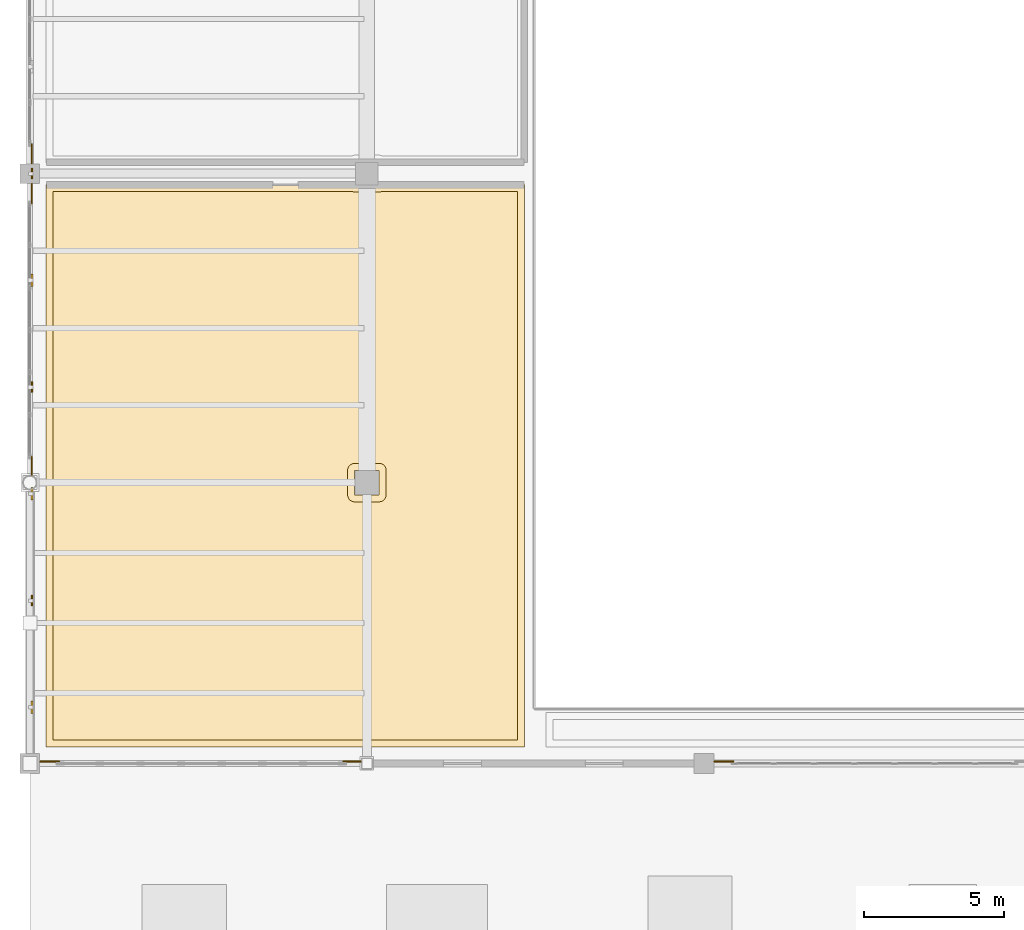
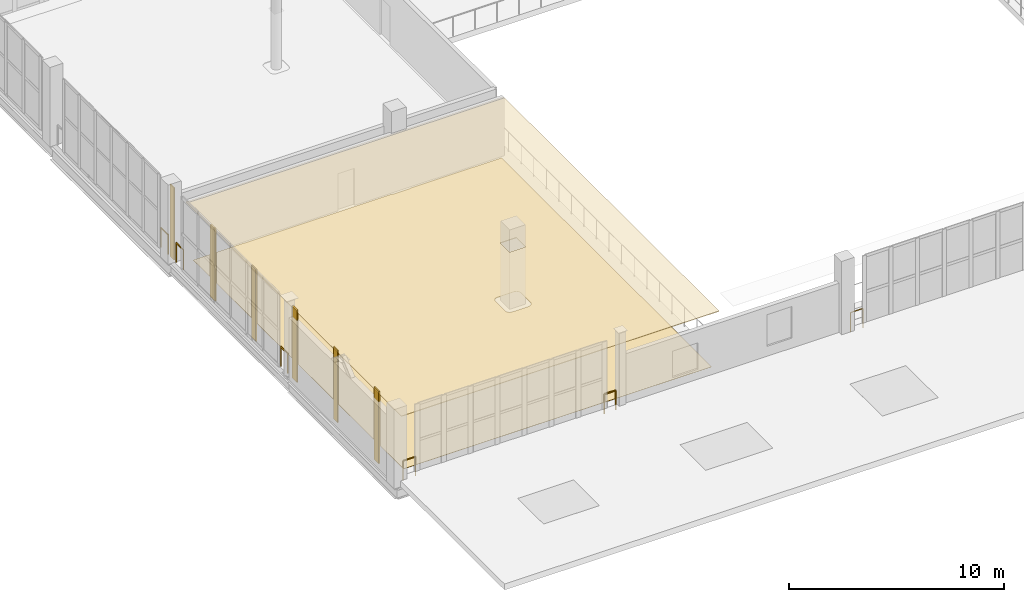
# One storey, part 93 of 108: 6 railings, 6 shading devices, 2 coverings.
"""IFC4 building model written with IfcOpenShell, lengths in metres."""

from ifc_helpers import new_model, si_unit, direction, frame, origin, origin_2d, place, context, subcontext, project, spatial, polyline, rectangle, circle, outline, extrude, material, layer, layer_set, material_profile, profile_set, type_object, element, save


model = new_model("IFC4")

# Units and contexts
model_context = context("Model", 3, precision=1e-05, world=origin(), true_north=direction((0.0, 1.0)))
body_context = subcontext(model_context, "Body", "Model", "MODEL_VIEW")
ifc_project = project(units=[si_unit("LENGTHUNIT", "METRE"), si_unit("AREAUNIT", "SQUARE_METRE"), si_unit("VOLUMEUNIT", "CUBIC_METRE"), si_unit("PLANEANGLEUNIT", "RADIAN"), si_unit("MASSUNIT", "GRAM", prefix="KILO")], contexts=[model_context])

# Site, building, storey
site_placement = place(None, origin())
site = spatial("IfcSite", under=ifc_project, at=site_placement, CompositionType="ELEMENT")
building_placement = place(site_placement, origin())
building = spatial("IfcBuilding", under=site, at=building_placement, Name="Brinegate Civic Arena", CompositionType="ELEMENT")
storey_placement = place(building_placement, frame((0.0, 0.0, 10.199951171875)))
storey = spatial("IfcBuildingStorey", under=building, at=storey_placement, Name="L02", CompositionType="ELEMENT", Elevation=10.199951171875)

# Coverings
ifc_material_1 = material(Name="Acoustic perforated aluminium ceiling", Category="aluminium")
ifc_layer_1 = layer(ifc_material_1, 0.034912109375, Name="Acoustic perforated aluminium ceiling")
ifc_layer_set_1 = layer_set([ifc_layer_1], Name="Acoustic perforated aluminium ceiling")
covering_type_1 = type_object("IfcCoveringType", Name="CEILING-ACOUSTIC-35", PredefinedType="CEILING", material=ifc_layer_set_1)
covering_1_placement = place(storey_placement, frame((0.0, 0.0, 3.215087890625)))
element("IfcCovering", 1, at=covering_1_placement, inside=storey, type_object=covering_type_1, Name="Acoustic Ceiling L02-004", PredefinedType="CEILING", context=body_context, shape_type="SweptSolid", body=[
    extrude(outline(polyline([(17.60400390625, 30.6201171875), (17.60595703125, 30.618896484375), (17.60791015625, 30.617919921875), (17.60888671875, 30.617919921875), (17.611083984375, 30.616943359375), (17.613037109375, 30.614990234375), (17.614013671875, 30.614013671875), (17.614990234375, 30.613037109375), (17.616943359375, 30.611083984375), (17.617919921875, 30.60888671875), (17.617919921875, 30.60791015625), (17.618896484375, 30.60595703125), (17.6201171875, 30.60400390625), (17.6201171875, 30.60205078125), (17.6201171875, 30.60009765625), (17.6201171875, 10.60009765625), (17.6201171875, 10.597900390625), (17.6201171875, 10.595947265625), (17.618896484375, 10.593994140625), (17.617919921875, 10.592041015625), (17.617919921875, 10.591064453125), (17.616943359375, 10.589111328125), (17.614990234375, 10.5869140625), (17.614013671875, 10.5859375), (17.613037109375, 10.5849609375), (17.611083984375, 10.5830078125), (17.60888671875, 10.58203125), (17.60791015625, 10.58203125), (17.60595703125, 10.5810546875), (17.60400390625, 10.580078125), (17.60205078125, 10.580078125), (17.60009765625, 10.580078125), (0.60009765625, 10.580078125), (0.597900390625, 10.580078125), (0.595947265625, 10.580078125), (0.593994140625, 10.5810546875), (0.592041015625, 10.58203125), (0.591064453125, 10.58203125), (0.589111328125, 10.5830078125), (0.5869140625, 10.5849609375), (0.5859375, 10.5859375), (0.5849609375, 10.5869140625), (0.5830078125, 10.589111328125), (0.58203125, 10.591064453125), (0.58203125, 10.592041015625), (0.5810546875, 10.593994140625), (0.580078125, 10.595947265625), (0.580078125, 10.597900390625), (0.580078125, 10.60009765625), (0.580078125, 30.60009765625), (0.580078125, 30.60205078125), (0.580078125, 30.60400390625), (0.5810546875, 30.60595703125), (0.58203125, 30.60791015625), (0.58203125, 30.60888671875), (0.5830078125, 30.611083984375), (0.5849609375, 30.613037109375), (0.5859375, 30.614013671875), (0.5869140625, 30.614990234375), (0.589111328125, 30.616943359375), (0.591064453125, 30.617919921875), (0.592041015625, 30.617919921875), (0.593994140625, 30.618896484375), (0.595947265625, 30.6201171875), (0.597900390625, 30.6201171875), (0.60009765625, 30.6201171875), (11.590087890625, 30.6201171875), (11.590087890625, 30.590087890625), (12.409912109375, 30.590087890625), (12.409912109375, 30.6201171875), (17.60009765625, 30.6201171875), (17.60205078125, 30.6201171875), (17.60400390625, 30.6201171875)]), holes=[polyline([(11.56494140625, 20.43505859375), (11.56494140625, 19.56494140625), (12.43505859375, 19.56494140625), (12.43505859375, 20.43505859375), (11.56494140625, 20.43505859375)])]), origin(), (0.0, 0.0, 1.0), 0.034912109375),
])
ifc_material_2 = material(Name="Polished coral terrazzo flooring")
ifc_layer_2 = layer(ifc_material_2, 0.013916015625, Name="Polished coral terrazzo flooring")
ifc_layer_set_2 = layer_set([ifc_layer_2], Name="Polished coral terrazzo flooring")
covering_type_2 = type_object("IfcCoveringType", Name="FLOORING-ACOUSTIC-14", PredefinedType="FLOORING", material=ifc_layer_set_2)
covering_2_placement = place(storey_placement, origin())
element("IfcCovering", 2, at=covering_2_placement, inside=storey, type_object=covering_type_2, Name="Flooring L02-004", PredefinedType="FLOORING", context=body_context, shape_type="SweptSolid", body=[
    extrude(outline(polyline([(0.830078125, 30.3701171875), (11.470947265625, 30.3701171875), (11.471923828125, 30.3701171875), (11.493896484375, 30.35888671875), (11.51708984375, 30.35107421875), (11.541015625, 30.344970703125), (11.56494140625, 30.341064453125), (11.590087890625, 30.340087890625), (12.409912109375, 30.340087890625), (12.43505859375, 30.341064453125), (12.458984375, 30.344970703125), (12.48291015625, 30.35107421875), (12.506103515625, 30.35888671875), (12.528076171875, 30.3701171875), (12.529052734375, 30.3701171875), (17.3701171875, 30.3701171875), (17.3701171875, 10.830078125), (0.830078125, 10.830078125), (0.830078125, 30.3701171875)]), holes=[polyline([(11.56494140625, 20.68505859375), (11.5400390625, 20.68408203125), (11.51611328125, 20.679931640625), (11.491943359375, 20.674072265625), (11.468994140625, 20.666015625), (11.447021484375, 20.655029296875), (11.426025390625, 20.64306640625), (11.406005859375, 20.6279296875), (11.387939453125, 20.612060546875), (11.3720703125, 20.593994140625), (11.35693359375, 20.573974609375), (11.344970703125, 20.552978515625), (11.333984375, 20.531005859375), (11.325927734375, 20.508056640625), (11.320068359375, 20.48388671875), (11.31591796875, 20.4599609375), (11.31494140625, 20.43505859375), (11.31494140625, 19.56494140625), (11.31591796875, 19.5400390625), (11.320068359375, 19.51611328125), (11.325927734375, 19.491943359375), (11.333984375, 19.468994140625), (11.344970703125, 19.447021484375), (11.35693359375, 19.426025390625), (11.3720703125, 19.406005859375), (11.387939453125, 19.387939453125), (11.406005859375, 19.3720703125), (11.426025390625, 19.35693359375), (11.447021484375, 19.344970703125), (11.468994140625, 19.333984375), (11.491943359375, 19.325927734375), (11.51611328125, 19.320068359375), (11.5400390625, 19.31591796875), (11.56494140625, 19.31494140625), (12.43505859375, 19.31494140625), (12.4599609375, 19.31591796875), (12.48388671875, 19.320068359375), (12.508056640625, 19.325927734375), (12.531005859375, 19.333984375), (12.552978515625, 19.344970703125), (12.573974609375, 19.35693359375), (12.593994140625, 19.3720703125), (12.612060546875, 19.387939453125), (12.6279296875, 19.406005859375), (12.64306640625, 19.426025390625), (12.655029296875, 19.447021484375), (12.666015625, 19.468994140625), (12.674072265625, 19.491943359375), (12.679931640625, 19.51611328125), (12.68408203125, 19.5400390625), (12.68505859375, 19.56494140625), (12.68505859375, 20.43505859375), (12.68408203125, 20.4599609375), (12.679931640625, 20.48388671875), (12.674072265625, 20.508056640625), (12.666015625, 20.531005859375), (12.655029296875, 20.552978515625), (12.64306640625, 20.573974609375), (12.6279296875, 20.593994140625), (12.612060546875, 20.612060546875), (12.593994140625, 20.6279296875), (12.573974609375, 20.64306640625), (12.552978515625, 20.655029296875), (12.531005859375, 20.666015625), (12.508056640625, 20.674072265625), (12.48388671875, 20.679931640625), (12.4599609375, 20.68408203125), (12.43505859375, 20.68505859375), (11.56494140625, 20.68505859375)])]), origin(), (0.0, 0.0, 1.0), 0.01416015625),
])

# Railings
ifc_material_3 = material(Name="Architectural stainless steel balustrade", Category="steel")
railing_type = type_object("IfcRailingType", Name="RAIL-VOID-BALUSTRADE-1120", PredefinedType="BALUSTRADE", material=ifc_material_3)
railing_1_placement = place(storey_placement, frame((0.070068359375, 20.27392578125, 0.0)))
element("IfcRailing", 3, at=railing_1_placement, inside=storey, type_object=railing_type, Name="Deck Edge Balustrade L02-113", PredefinedType="BALUSTRADE", context=body_context, shape_type="SweptSolid", body=[
    extrude(circle(Radius=0.02392578125, at=origin_2d()), frame((0.0, 0.00146484375, 1.09619140625), z_axis=(0.0, 1.0, 0.0), x_axis=(-1.0, 0.0, 0.0)), (0.0, 0.0, 1.0), 0.632080078125),
    extrude(circle(Radius=0.02099609375, at=origin_2d()), origin(), (0.0, 0.0, 1.0), 1.070068359375),
    extrude(circle(Radius=0.02099609375, at=origin_2d()), frame((0.0, 0.635009765625, 0.0)), (0.0, 0.0, 1.0), 1.070068359375),
])
for number, where, name in (
    (4, (0.070068359375, 29.955078125, 0.0), "Deck Edge Balustrade L02-114"),
    (5, (0.070068359375, 31.3701171875, 0.0), "Deck Edge Balustrade L02-115"),
):
    element("IfcRailing", number, at=place(storey_placement, frame(where)), inside=storey, type_object=railing_type, Name=name, PredefinedType="BALUSTRADE", context=body_context, shape_type="SweptSolid", body=[
        extrude(circle(Radius=0.02392578125, at=origin_2d()), frame((0.0, 0.00146484375, 1.09619140625), z_axis=(0.0, 1.0, 0.0), x_axis=(-1.0, 0.0, 0.0)), (0.0, 0.0, 1.0), 0.671875),
        extrude(circle(Radius=0.02099609375, at=origin_2d()), origin(), (0.0, 0.0, 1.0), 1.070068359375),
        extrude(circle(Radius=0.02099609375, at=origin_2d()), frame((0.0, 0.6748046875, 0.0)), (0.0, 0.0, 1.0), 1.070068359375),
    ])
railing_2_placement = place(storey_placement, frame((25.044921875, 10.070068359375, 0.0)))
element("IfcRailing", 6, at=railing_2_placement, inside=storey, type_object=railing_type, Name="Deck Edge Balustrade L02-201", PredefinedType="BALUSTRADE", context=body_context, shape_type="SweptSolid", body=[
    extrude(circle(Radius=0.02392578125, at=origin_2d()), frame((-0.00146484375, 0.0, 1.09619140625), z_axis=(-1.0, 0.0, 0.0), x_axis=(0.0, -1.0, 0.0)), (0.0, 0.0, 1.0), 0.671875),
    extrude(circle(Radius=0.02099609375, at=origin_2d()), origin(), (0.0, 0.0, 1.0), 1.070068359375),
    extrude(circle(Radius=0.02099609375, at=origin_2d()), frame((-0.6748046875, 0.0, 0.0)), (0.0, 0.0, 1.0), 1.070068359375),
])
railing_3_placement = place(storey_placement, frame((11.780029296875, 10.070068359375, 0.0)))
element("IfcRailing", 7, at=railing_3_placement, inside=storey, type_object=railing_type, Name="Deck Edge Balustrade L02-202", PredefinedType="BALUSTRADE", context=body_context, shape_type="SweptSolid", body=[
    extrude(circle(Radius=0.02392578125, at=origin_2d()), frame((-0.00146484375, 0.0, 1.09619140625), z_axis=(-1.0, 0.0, 0.0), x_axis=(0.0, -1.0, 0.0)), (0.0, 0.0, 1.0), 0.610107421875),
    extrude(circle(Radius=0.02099609375, at=origin_2d()), origin(), (0.0, 0.0, 1.0), 1.070068359375),
    extrude(circle(Radius=0.02099609375, at=origin_2d()), frame((-0.613037109375, 0.0, 0.0)), (0.0, 0.0, 1.0), 1.070068359375),
])
railing_4_placement = place(storey_placement, frame((1.044921875, 10.070068359375, 0.0)))
element("IfcRailing", 8, at=railing_4_placement, inside=storey, type_object=railing_type, Name="Deck Edge Balustrade L02-203", PredefinedType="BALUSTRADE", context=body_context, shape_type="SweptSolid", body=[
    extrude(circle(Radius=0.02392578125, at=origin_2d()), frame((-0.00146484375, 0.0, 1.09619140625), z_axis=(-1.0, 0.0, 0.0), x_axis=(0.0, -1.0, 0.0)), (0.0, 0.0, 1.0), 0.671875),
    extrude(circle(Radius=0.02099609375, at=origin_2d()), origin(), (0.0, 0.0, 1.0), 1.070068359375),
    extrude(circle(Radius=0.02099609375, at=origin_2d()), frame((-0.6748046875, 0.0, 0.0)), (0.0, 0.0, 1.0), 1.070068359375),
])

# Shading devices
ifc_material_4 = material(Name="Marine grade aluminium", Category="aluminium")
ifc_material_profile_1 = material_profile(ifc_material_4, rectangle(XDim=0.06494140625, YDim=0.3798828125, at=origin_2d()), Name="FIN65X380")
ifc_profile_set_1 = profile_set([ifc_material_profile_1], Name="Marine grade aluminium")
shading_device_type_1 = type_object("IfcShadingDeviceType", Name="SHADE-BLADE-LOUVRE-380", PredefinedType="USERDEFINED", material=ifc_profile_set_1)
for number, where, z_axis, x_axis, name in (
    (9, (0.080078125, 15.800048828125, 0.0), (0.0, 0.0, 1.0), (1.0, 0.0, 0.0), "Vertical Hurricane Solar Fin FIN-WH-02"),
    (10, (0.080078125, 23.39990234375, 0.0), (0.0, 0.0, 1.0), (1.0, 0.0, 0.0), "Vertical Hurricane Solar Fin FIN-WH-04"),
    (11, (0.080078125, 31.0, 0.0), (0.0, 0.0, 1.0), (1.0, 0.0, 0.0), "Vertical Hurricane Solar Fin FIN-WH-06"),
):
    element("IfcShadingDevice", number, at=place(storey_placement, frame(where, z_axis=z_axis, x_axis=x_axis)), inside=storey, type_object=shading_device_type_1, Name=name, ObjectType="LOUVRE", PredefinedType="USERDEFINED", context=body_context, shape_type="SweptSolid", body=[
        extrude(rectangle(XDim=0.06494140625, YDim=0.3798828125, at=origin_2d()), origin(), (0.0, 0.0, 1.0), 4.10009765625),
    ])
ifc_material_profile_2 = material_profile(ifc_material_4, rectangle(XDim=0.074951171875, YDim=0.449951171875, at=origin_2d()), Name="FIN75X450")
ifc_profile_set_2 = profile_set([ifc_material_profile_2], Name="Marine grade aluminium")
shading_device_type_2 = type_object("IfcShadingDeviceType", Name="SHADE-SOLAR-FIN-450", PredefinedType="USERDEFINED", material=ifc_profile_set_2)
for number, where, z_axis, x_axis, name in (
    (12, (0.080078125, 12.0, 0.0), (0.0, 0.0, 1.0), (1.0, 0.0, 0.0), "Vertical Hurricane Solar Fin FIN-WH-01"),
    (13, (0.080078125, 19.60009765625, 0.0), (0.0, 0.0, 1.0), (1.0, 0.0, 0.0), "Vertical Hurricane Solar Fin FIN-WH-03"),
    (14, (0.080078125, 27.199951171875, 0.0), (0.0, 0.0, 1.0), (1.0, 0.0, 0.0), "Vertical Hurricane Solar Fin FIN-WH-05"),
):
    element("IfcShadingDevice", number, at=place(storey_placement, frame(where, z_axis=z_axis, x_axis=x_axis)), inside=storey, type_object=shading_device_type_2, Name=name, ObjectType="FIN", PredefinedType="USERDEFINED", context=body_context, shape_type="SweptSolid", body=[
        extrude(rectangle(XDim=0.074951171875, YDim=0.449951171875, at=origin_2d()), origin(), (0.0, 0.0, 1.0), 4.10009765625),
    ])

save(model, "model.ifc")
